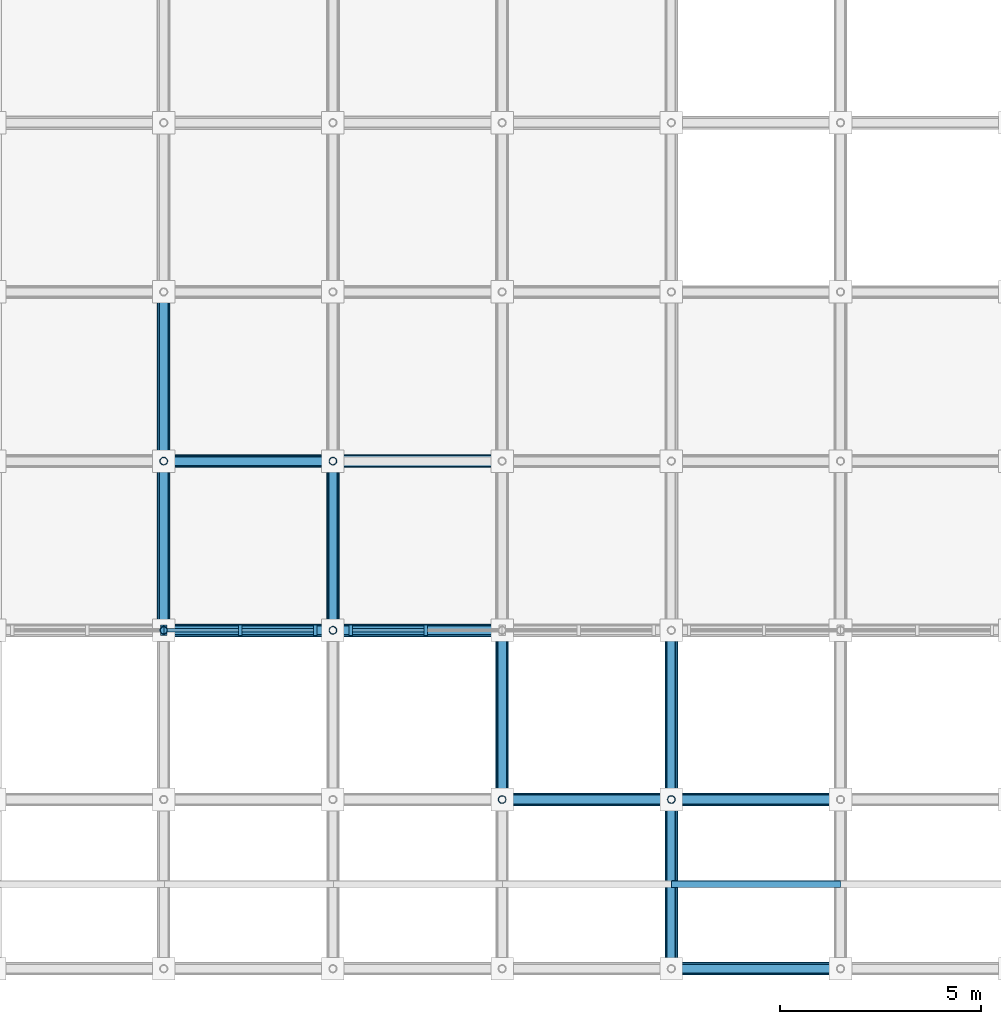
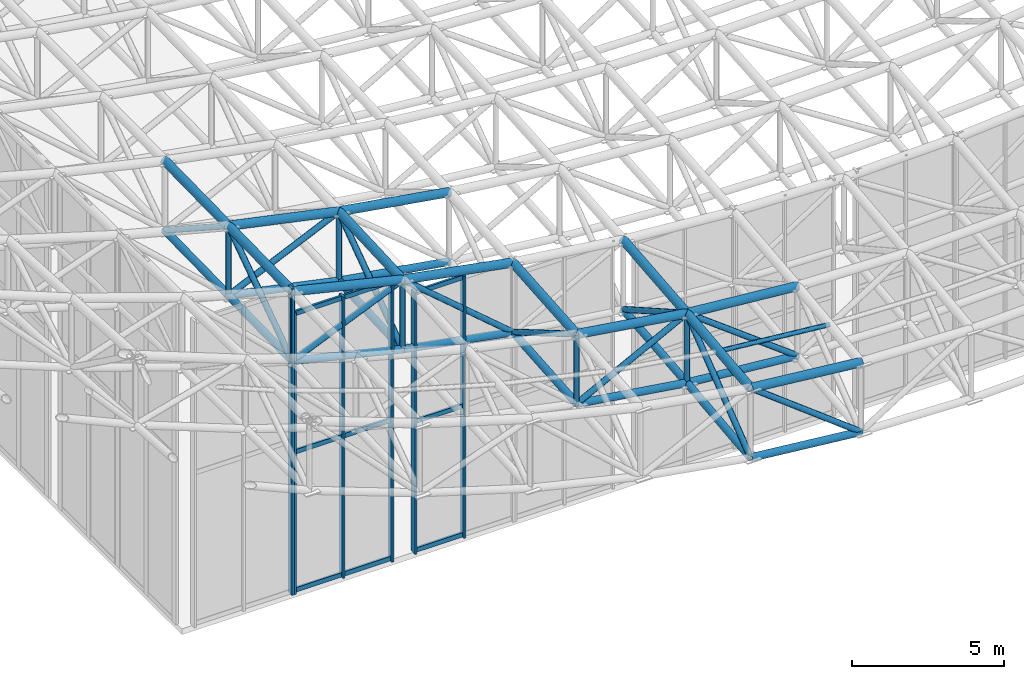
# One storey, part 6 of 93: 60 members, 3 elements without a shape of their own.
"""IFC4 building model written with IfcOpenShell, lengths in metres."""

from ifc_helpers import new_model, si_unit, direction, frame, origin, origin_2d, place, context, subcontext, project, spatial, rectangle, hollow_circle, extrude, material, material_profile, profile_set, type_object, element, aggregate, save


model = new_model("IFC4")

# Units and contexts
model_context = context("Model", 3, precision=1e-05, world=origin(), true_north=direction((0.0, 1.0)))
body_context = subcontext(model_context, "Body", "Model", "MODEL_VIEW")
ifc_project = project(units=[si_unit("LENGTHUNIT", "METRE"), si_unit("AREAUNIT", "SQUARE_METRE"), si_unit("VOLUMEUNIT", "CUBIC_METRE"), si_unit("PLANEANGLEUNIT", "RADIAN"), si_unit("MASSUNIT", "GRAM", prefix="KILO")], contexts=[model_context])

# Site, building, storey
site_placement = place(None, origin())
site = spatial("IfcSite", under=ifc_project, at=site_placement, CompositionType="ELEMENT")
building_placement = place(site_placement, origin())
building = spatial("IfcBuilding", under=site, at=building_placement, Name="Cumbredor Promenade Congress Hotel", CompositionType="ELEMENT")
storey_placement = place(building_placement, frame((0.0, 0.0, 21.840087890625)))
storey = spatial("IfcBuildingStorey", under=building, at=storey_placement, Name="L06", CompositionType="ELEMENT", Elevation=21.840087890625)

# Curtain wall, member
ifc_material_1 = material(Name="Thermally broken anodized aluminium and low-E glass", Category="aluminium")
curtain_wall_type = type_object("IfcCurtainWallType", Name="Stepped Pavilion Clerestory Curtain Wall CW-06", PredefinedType="NOTDEFINED", material=ifc_material_1)
curtain_wall_1_placement = place(storey_placement, origin())
curtain_wall_1 = element("IfcCurtainWall", 1, at=curtain_wall_1_placement, inside=storey, type_object=curtain_wall_type, Name="Plenary Congress Hall S Glazed Clerestory 1", PredefinedType="NOTDEFINED")
ifc_material_2 = material(Name="Thermally broken anodized aluminium", Category="aluminium")
ifc_material_profile_1 = material_profile(ifc_material_2, rectangle(XDim=0.0849609375, YDim=0.260009765625, at=origin_2d()), Name="ALU MULLION CLERESTORY 85x260")
ifc_profile_set_1 = profile_set([ifc_material_profile_1], Name="Thermally broken anodized aluminium")
member_type_1 = type_object("IfcMemberType", Name="Curtain Wall Mullion ML-04", PredefinedType="MULLION", material=ifc_profile_set_1)
member_1_placement = place(storey_placement, frame((12.56005859375, 8.39990234375, -0.01806640625), z_axis=(0.0, 0.0, 1.0), x_axis=(1.0, 0.0, 0.0)))
member_1 = element("IfcMember", 2, at=member_1_placement, type_object=member_type_1, Name="Plenary Congress Hall S Glazed Clerestory 1 Mullion 3", PredefinedType="MULLION", context=body_context, shape_type="SweptSolid", body=[
    extrude(rectangle(XDim=0.0849609375, YDim=0.260009765625, at=origin_2d()), origin(), (0.0, 0.0, 1.0), 12.32763671875),
])
aggregate(curtain_wall_1, [member_1])

# Curtain wall, members
curtain_wall_2_placement = place(storey_placement, origin())
curtain_wall_2 = element("IfcCurtainWall", 3, at=curtain_wall_2_placement, inside=storey, type_object=curtain_wall_type, Name="Plenary Congress Hall S Glazed Clerestory 2", PredefinedType="NOTDEFINED")
member_2_placement = place(storey_placement, frame((12.639892578125, 8.39990234375, -0.01806640625), z_axis=(0.0, 0.0, 1.0), x_axis=(1.0, 0.0, 0.0)))
member_2 = element("IfcMember", 4, at=member_2_placement, type_object=member_type_1, Name="Plenary Congress Hall S Glazed Clerestory 2 Mullion 1", PredefinedType="MULLION", context=body_context, shape_type="SweptSolid", body=[
    extrude(rectangle(XDim=0.0849609375, YDim=0.260009765625, at=origin_2d()), origin(), (0.0, 0.0, 1.0), 11.32421875),
])
member_3_placement = place(storey_placement, frame((14.5, 8.39990234375, -0.01806640625), z_axis=(0.0, 0.0, 1.0), x_axis=(1.0, 0.0, 0.0)))
member_3 = element("IfcMember", 5, at=member_3_placement, type_object=member_type_1, Name="Plenary Congress Hall S Glazed Clerestory 2 Mullion 2", PredefinedType="MULLION", context=body_context, shape_type="SweptSolid", body=[
    extrude(rectangle(XDim=0.0849609375, YDim=0.260009765625, at=origin_2d()), origin(), (0.0, 0.0, 1.0), 11.32421875),
])
member_4_placement = place(storey_placement, frame((16.360107421875, 8.39990234375, -0.01806640625), z_axis=(0.0, 0.0, 1.0), x_axis=(1.0, 0.0, 0.0)))
member_4 = element("IfcMember", 6, at=member_4_placement, type_object=member_type_1, Name="Plenary Congress Hall S Glazed Clerestory 2 Mullion 3", PredefinedType="MULLION", context=body_context, shape_type="SweptSolid", body=[
    extrude(rectangle(XDim=0.0849609375, YDim=0.260009765625, at=origin_2d()), origin(), (0.0, 0.0, 1.0), 11.32421875),
])

curtain_wall_3_placement = place(storey_placement, origin())
curtain_wall_3 = element("IfcCurtainWall", 7, at=curtain_wall_3_placement, inside=storey, type_object=curtain_wall_type, Name="Plenary Congress Hall S Glazed Clerestory 3", PredefinedType="NOTDEFINED")
member_5_placement = place(storey_placement, frame((17.239990234375, 8.39990234375, -0.01806640625), z_axis=(0.0, 0.0, 1.0), x_axis=(1.0, 0.0, 0.0)))
member_5 = element("IfcMember", 8, at=member_5_placement, type_object=member_type_1, Name="Plenary Congress Hall S Glazed Clerestory 3 Mullion 1", PredefinedType="MULLION", context=body_context, shape_type="SweptSolid", body=[
    extrude(rectangle(XDim=0.0849609375, YDim=0.260009765625, at=origin_2d()), origin(), (0.0, 0.0, 1.0), 10.543701171875),
])
member_6_placement = place(storey_placement, frame((19.10009765625, 8.39990234375, -0.01806640625), z_axis=(0.0, 0.0, 1.0), x_axis=(1.0, 0.0, 0.0)))
member_6 = element("IfcMember", 9, at=member_6_placement, type_object=member_type_1, Name="Plenary Congress Hall S Glazed Clerestory 3 Mullion 2", PredefinedType="MULLION", context=body_context, shape_type="SweptSolid", body=[
    extrude(rectangle(XDim=0.0849609375, YDim=0.260009765625, at=origin_2d()), origin(), (0.0, 0.0, 1.0), 10.543701171875),
])

# Member
ifc_material_profile_2 = material_profile(ifc_material_2, rectangle(XDim=0.080078125, YDim=0.179931640625, at=origin_2d()), Name="ALU TRANSOM 80x180")
ifc_profile_set_2 = profile_set([ifc_material_profile_2], Name="Thermally broken anodized aluminium")
member_type_2 = type_object("IfcMemberType", Name="Curtain Wall Transom TR-03", PredefinedType="USERDEFINED", material=ifc_profile_set_2)
member_7_placement = place(storey_placement, frame((12.6826171875, 8.39990234375, 0.079833984375), z_axis=(1.0, 0.0, 0.0), x_axis=(0.0, 1.0, 0.0)))
member_7 = element("IfcMember", 10, at=member_7_placement, type_object=member_type_2, Name="Plenary Congress Hall S Glazed Clerestory 2 Transom 1.1", ObjectType="TRANSOM", PredefinedType="USERDEFINED", context=body_context, shape_type="SweptSolid", body=[
    extrude(rectangle(XDim=0.080078125, YDim=0.179931640625, at=origin_2d()), origin(), (0.0, 0.0, 1.0), 1.77490234375),
])

member_8_placement = place(storey_placement, frame((12.6826171875, 8.39990234375, 5.639892578125), z_axis=(1.0, 0.0, 0.0), x_axis=(0.0, 1.0, 0.0)))
member_8 = element("IfcMember", 11, at=member_8_placement, type_object=member_type_2, Name="Plenary Congress Hall S Glazed Clerestory 2 Transom 1.2", ObjectType="TRANSOM", PredefinedType="USERDEFINED", context=body_context, shape_type="SweptSolid", body=[
    extrude(rectangle(XDim=0.080078125, YDim=0.179931640625, at=origin_2d()), origin(), (0.0, 0.0, 1.0), 1.77490234375),
])

member_9_placement = place(storey_placement, frame((12.6826171875, 8.39990234375, 11.2099609375), z_axis=(1.0, 0.0, 0.0), x_axis=(0.0, 1.0, 0.0)))
member_9 = element("IfcMember", 12, at=member_9_placement, type_object=member_type_2, Name="Plenary Congress Hall S Glazed Clerestory 2 Transom 1.3", ObjectType="TRANSOM", PredefinedType="USERDEFINED", context=body_context, shape_type="SweptSolid", body=[
    extrude(rectangle(XDim=0.080078125, YDim=0.179931640625, at=origin_2d()), origin(), (0.0, 0.0, 1.0), 1.77490234375),
])

member_10_placement = place(storey_placement, frame((14.54248046875, 8.39990234375, 0.079833984375), z_axis=(1.0, 0.0, 0.0), x_axis=(0.0, 1.0, 0.0)))
member_10 = element("IfcMember", 13, at=member_10_placement, type_object=member_type_2, Name="Plenary Congress Hall S Glazed Clerestory 2 Transom 2.1", ObjectType="TRANSOM", PredefinedType="USERDEFINED", context=body_context, shape_type="SweptSolid", body=[
    extrude(rectangle(XDim=0.080078125, YDim=0.179931640625, at=origin_2d()), origin(), (0.0, 0.0, 1.0), 1.77490234375),
])

member_11_placement = place(storey_placement, frame((14.54248046875, 8.39990234375, 5.639892578125), z_axis=(1.0, 0.0, 0.0), x_axis=(0.0, 1.0, 0.0)))
member_11 = element("IfcMember", 14, at=member_11_placement, type_object=member_type_2, Name="Plenary Congress Hall S Glazed Clerestory 2 Transom 2.2", ObjectType="TRANSOM", PredefinedType="USERDEFINED", context=body_context, shape_type="SweptSolid", body=[
    extrude(rectangle(XDim=0.080078125, YDim=0.179931640625, at=origin_2d()), origin(), (0.0, 0.0, 1.0), 1.77490234375),
])

member_12_placement = place(storey_placement, frame((14.54248046875, 8.39990234375, 11.2099609375), z_axis=(1.0, 0.0, 0.0), x_axis=(0.0, 1.0, 0.0)))
member_12 = element("IfcMember", 15, at=member_12_placement, type_object=member_type_2, Name="Plenary Congress Hall S Glazed Clerestory 2 Transom 2.3", ObjectType="TRANSOM", PredefinedType="USERDEFINED", context=body_context, shape_type="SweptSolid", body=[
    extrude(rectangle(XDim=0.080078125, YDim=0.179931640625, at=origin_2d()), origin(), (0.0, 0.0, 1.0), 1.77490234375),
])

aggregate(curtain_wall_2, [member_2, member_3, member_4, member_7, member_8, member_9, member_10, member_11, member_12])

member_13_placement = place(storey_placement, frame((17.282470703125, 8.39990234375, 0.079833984375), z_axis=(1.0, 0.0, 0.0), x_axis=(0.0, 1.0, 0.0)))
member_13 = element("IfcMember", 16, at=member_13_placement, type_object=member_type_2, Name="Plenary Congress Hall S Glazed Clerestory 3 Transom 1.1", ObjectType="TRANSOM", PredefinedType="USERDEFINED", context=body_context, shape_type="SweptSolid", body=[
    extrude(rectangle(XDim=0.080078125, YDim=0.179931640625, at=origin_2d()), origin(), (0.0, 0.0, 1.0), 1.775146484375),
])

member_14_placement = place(storey_placement, frame((17.282470703125, 8.39990234375, 5.260009765625), z_axis=(1.0, 0.0, 0.0), x_axis=(0.0, 1.0, 0.0)))
member_14 = element("IfcMember", 17, at=member_14_placement, type_object=member_type_2, Name="Plenary Congress Hall S Glazed Clerestory 3 Transom 1.2", ObjectType="TRANSOM", PredefinedType="USERDEFINED", context=body_context, shape_type="SweptSolid", body=[
    extrude(rectangle(XDim=0.080078125, YDim=0.179931640625, at=origin_2d()), origin(), (0.0, 0.0, 1.0), 1.775146484375),
])

member_15_placement = place(storey_placement, frame((17.282470703125, 8.39990234375, 10.429931640625), z_axis=(1.0, 0.0, 0.0), x_axis=(0.0, 1.0, 0.0)))
member_15 = element("IfcMember", 18, at=member_15_placement, type_object=member_type_2, Name="Plenary Congress Hall S Glazed Clerestory 3 Transom 1.3", ObjectType="TRANSOM", PredefinedType="USERDEFINED", context=body_context, shape_type="SweptSolid", body=[
    extrude(rectangle(XDim=0.080078125, YDim=0.179931640625, at=origin_2d()), origin(), (0.0, 0.0, 1.0), 1.775146484375),
])

aggregate(curtain_wall_3, [member_5, member_6, member_13, member_14, member_15])

# Members
ifc_material_3 = material(Name="Steel ASTM A500 Grade C", Category="steel")
ifc_material_profile_3 = material_profile(ifc_material_3, hollow_circle(Radius=0.136474609375, WallThickness=0.01611328125, at=origin_2d()), Name="CHS 273.0x16")
ifc_profile_set_3 = profile_set([ifc_material_profile_3], Name="Steel ASTM A500 Grade C")
member_type_3 = type_object("IfcMemberType", Name="Plenary Roof Space Frame Bottom Chord", PredefinedType="CHORD", material=ifc_profile_set_3)
member_16_placement = place(storey_placement, frame((25.199951171875, 0.0, 6.107666015625), z_axis=(0.994854027888, 0.0, -0.101318622151), x_axis=(0.0, 1.0, 0.0)))
element("IfcMember", 19, at=member_16_placement, inside=storey, type_object=member_type_3, Name="Plenary Congress Hall X Bottom Chord 8.1", PredefinedType="CHORD", context=body_context, shape_type="SweptSolid", body=[
    extrude(hollow_circle(Radius=0.136474609375, WallThickness=0.01611328125, at=origin_2d()), origin(), (0.0, 0.0, 1.0), 4.2216796875),
])
member_17_placement = place(storey_placement, frame((21.0, 4.199951171875, 7.202392578125), z_axis=(0.988940147497, 0.0, -0.148315153202), x_axis=(0.0, 1.0, 0.0)))
element("IfcMember", 20, at=member_17_placement, inside=storey, type_object=member_type_3, Name="Plenary Congress Hall X Bottom Chord 7.2", PredefinedType="CHORD", context=body_context, shape_type="SweptSolid", body=[
    extrude(hollow_circle(Radius=0.136474609375, WallThickness=0.01611328125, at=origin_2d()), origin(), (0.0, 0.0, 1.0), 4.246826171875),
])
member_18_placement = place(storey_placement, frame((25.199951171875, 4.199951171875, 6.572509765625), z_axis=(0.995981000489, 0.0, -0.089564762411), x_axis=(0.0, 1.0, 0.0)))
element("IfcMember", 21, at=member_18_placement, inside=storey, type_object=member_type_3, Name="Plenary Congress Hall X Bottom Chord 8.2", PredefinedType="CHORD", context=body_context, shape_type="SweptSolid", body=[
    extrude(hollow_circle(Radius=0.136474609375, WallThickness=0.01611328125, at=origin_2d()), origin(), (0.0, 0.0, 1.0), 4.216796875),
])
member_19_placement = place(storey_placement, frame((12.60009765625, 8.39990234375, 9.321533203125), z_axis=(0.972626967518, 0.0, -0.23237207676), x_axis=(0.0, 1.0, 0.0)))
element("IfcMember", 22, at=member_19_placement, inside=storey, type_object=member_type_3, Name="Plenary Congress Hall X Bottom Chord 5.3", PredefinedType="CHORD", context=body_context, shape_type="SweptSolid", body=[
    extrude(hollow_circle(Radius=0.136474609375, WallThickness=0.01611328125, at=origin_2d()), origin(), (0.0, 0.0, 1.0), 4.318115234375),
])
member_20_placement = place(storey_placement, frame((16.800048828125, 8.39990234375, 8.318115234375), z_axis=(0.98316659684, 0.0, -0.182711364884), x_axis=(0.0, 1.0, 0.0)))
element("IfcMember", 23, at=member_20_placement, inside=storey, type_object=member_type_3, Name="Plenary Congress Hall X Bottom Chord 6.3", PredefinedType="CHORD", context=body_context, shape_type="SweptSolid", body=[
    extrude(hollow_circle(Radius=0.136474609375, WallThickness=0.01611328125, at=origin_2d()), origin(), (0.0, 0.0, 1.0), 4.27197265625),
])
member_21_placement = place(storey_placement, frame((12.60009765625, 12.60009765625, 9.410400390625), z_axis=(0.978189332604, 0.0, -0.207715260827), x_axis=(0.0, 1.0, 0.0)))
element("IfcMember", 24, at=member_21_placement, inside=storey, type_object=member_type_3, Name="Plenary Congress Hall X Bottom Chord 5.4", PredefinedType="CHORD", context=body_context, shape_type="SweptSolid", body=[
    extrude(hollow_circle(Radius=0.136474609375, WallThickness=0.01611328125, at=origin_2d()), origin(), (0.0, 0.0, 1.0), 4.293701171875),
])
member_22_placement = place(storey_placement, frame((16.800048828125, 12.60009765625, 8.5185546875), z_axis=(0.986645422548, 0.0, -0.16288281114), x_axis=(0.0, 1.0, 0.0)))
element("IfcMember", 25, at=member_22_placement, inside=storey, type_object=member_type_3, Name="Plenary Congress Hall X Bottom Chord 6.4", PredefinedType="CHORD", context=body_context, shape_type="SweptSolid", body=[
    extrude(hollow_circle(Radius=0.136474609375, WallThickness=0.01611328125, at=origin_2d()), origin(), (0.0, 0.0, 1.0), 4.2568359375),
])
member_23_placement = place(storey_placement, frame((12.60009765625, 8.39990234375, 9.321533203125), z_axis=(0.0, 0.999776247383, 0.021153136134), x_axis=(-1.0, 0.0, 0.0)))
element("IfcMember", 26, at=member_23_placement, inside=storey, type_object=member_type_3, Name="Plenary Congress Hall Y Bottom Chord 5.3", PredefinedType="CHORD", context=body_context, shape_type="SweptSolid", body=[
    extrude(hollow_circle(Radius=0.136474609375, WallThickness=0.01611328125, at=origin_2d()), origin(), (0.0, 0.0, 1.0), 4.201171875),
])
member_24_placement = place(storey_placement, frame((12.60009765625, 12.60009765625, 9.410400390625), z_axis=(0.0, 0.999845945232, 0.017552373159), x_axis=(-1.0, 0.0, 0.0)))
element("IfcMember", 27, at=member_24_placement, inside=storey, type_object=member_type_3, Name="Plenary Congress Hall Y Bottom Chord 5.4", PredefinedType="CHORD", context=body_context, shape_type="SweptSolid", body=[
    extrude(hollow_circle(Radius=0.136474609375, WallThickness=0.01611328125, at=origin_2d()), origin(), (0.0, 0.0, 1.0), 4.20068359375),
])
member_25_placement = place(storey_placement, frame((16.800048828125, 8.39990234375, 8.318115234375), z_axis=(0.0, 0.998863272288, 0.047667213819), x_axis=(-1.0, 0.0, 0.0)))
element("IfcMember", 28, at=member_25_placement, inside=storey, type_object=member_type_3, Name="Plenary Congress Hall Y Bottom Chord 6.3", PredefinedType="CHORD", context=body_context, shape_type="SweptSolid", body=[
    extrude(hollow_circle(Radius=0.136474609375, WallThickness=0.01611328125, at=origin_2d()), origin(), (0.0, 0.0, 1.0), 4.205078125),
])
member_26_placement = place(storey_placement, frame((21.0, 4.199951171875, 7.202392578125), z_axis=(0.0, 0.996830184947, 0.079558672553), x_axis=(-1.0, 0.0, 0.0)))
element("IfcMember", 29, at=member_26_placement, inside=storey, type_object=member_type_3, Name="Plenary Congress Hall Y Bottom Chord 7.2", PredefinedType="CHORD", context=body_context, shape_type="SweptSolid", body=[
    extrude(hollow_circle(Radius=0.136474609375, WallThickness=0.01611328125, at=origin_2d()), origin(), (0.0, 0.0, 1.0), 4.21337890625),
])
member_27_placement = place(storey_placement, frame((25.199951171875, 0.0, 6.107666015625), z_axis=(0.0, 0.993930851571, 0.110006646596), x_axis=(-1.0, 0.0, 0.0)))
element("IfcMember", 30, at=member_27_placement, inside=storey, type_object=member_type_3, Name="Plenary Congress Hall Y Bottom Chord 8.1", PredefinedType="CHORD", context=body_context, shape_type="SweptSolid", body=[
    extrude(hollow_circle(Radius=0.136474609375, WallThickness=0.01611328125, at=origin_2d()), origin(), (0.0, 0.0, 1.0), 4.2255859375),
])
member_28_placement = place(storey_placement, frame((25.199951171875, 4.199951171875, 6.572509765625), z_axis=(0.0, 0.995321159621, 0.096621887843), x_axis=(-1.0, 0.0, 0.0)))
element("IfcMember", 31, at=member_28_placement, inside=storey, type_object=member_type_3, Name="Plenary Congress Hall Y Bottom Chord 8.2", PredefinedType="CHORD", context=body_context, shape_type="SweptSolid", body=[
    extrude(hollow_circle(Radius=0.136474609375, WallThickness=0.01611328125, at=origin_2d()), origin(), (0.0, 0.0, 1.0), 4.2197265625),
])
ifc_material_profile_4 = material_profile(ifc_material_3, hollow_circle(Radius=0.161865234375, WallThickness=0.01611328125, at=origin_2d()), Name="CHS 323.9x16")
ifc_profile_set_4 = profile_set([ifc_material_profile_4], Name="Steel ASTM A500 Grade C")
member_type_4 = type_object("IfcMemberType", Name="Plenary Roof Space Frame Top Chord", PredefinedType="CHORD", material=ifc_profile_set_4)
member_29_placement = place(storey_placement, frame((25.199951171875, 0.0, 8.90771484375), z_axis=(0.994854027888, 0.0, -0.101318622151), x_axis=(0.0, 1.0, 0.0)))
element("IfcMember", 32, at=member_29_placement, inside=storey, type_object=member_type_4, Name="Plenary Congress Hall X Top Chord 8.1", PredefinedType="CHORD", context=body_context, shape_type="SweptSolid", body=[
    extrude(hollow_circle(Radius=0.161865234375, WallThickness=0.01611328125, at=origin_2d()), origin(), (0.0, 0.0, 1.0), 4.2216796875),
])
member_30_placement = place(storey_placement, frame((21.0, 4.199951171875, 10.002197265625), z_axis=(0.988948577791, 0.0, -0.148258930542), x_axis=(0.0, 1.0, 0.0)))
element("IfcMember", 33, at=member_30_placement, inside=storey, type_object=member_type_4, Name="Plenary Congress Hall X Top Chord 7.2", PredefinedType="CHORD", context=body_context, shape_type="SweptSolid", body=[
    extrude(hollow_circle(Radius=0.161865234375, WallThickness=0.01611328125, at=origin_2d()), origin(), (0.0, 0.0, 1.0), 4.246826171875),
])
member_31_placement = place(storey_placement, frame((25.199951171875, 4.199951171875, 9.37255859375), z_axis=(0.995975834279, 0.0, -0.089622193307), x_axis=(0.0, 1.0, 0.0)))
element("IfcMember", 34, at=member_31_placement, inside=storey, type_object=member_type_4, Name="Plenary Congress Hall X Top Chord 8.2", PredefinedType="CHORD", context=body_context, shape_type="SweptSolid", body=[
    extrude(hollow_circle(Radius=0.161865234375, WallThickness=0.01611328125, at=origin_2d()), origin(), (0.0, 0.0, 1.0), 4.217041015625),
])
member_32_placement = place(storey_placement, frame((12.60009765625, 8.39990234375, 12.12158203125), z_axis=(0.972626967518, 0.0, -0.23237207676), x_axis=(0.0, 1.0, 0.0)))
element("IfcMember", 35, at=member_32_placement, inside=storey, type_object=member_type_4, Name="Plenary Congress Hall X Top Chord 5.3", PredefinedType="CHORD", context=body_context, shape_type="SweptSolid", body=[
    extrude(hollow_circle(Radius=0.161865234375, WallThickness=0.01611328125, at=origin_2d()), origin(), (0.0, 0.0, 1.0), 4.318115234375),
])
member_33_placement = place(storey_placement, frame((16.800048828125, 8.39990234375, 11.1181640625), z_axis=(0.98316659684, 0.0, -0.182711364884), x_axis=(0.0, 1.0, 0.0)))
element("IfcMember", 36, at=member_33_placement, inside=storey, type_object=member_type_4, Name="Plenary Congress Hall X Top Chord 6.3", PredefinedType="CHORD", context=body_context, shape_type="SweptSolid", body=[
    extrude(hollow_circle(Radius=0.161865234375, WallThickness=0.01611328125, at=origin_2d()), origin(), (0.0, 0.0, 1.0), 4.27197265625),
])
member_34_placement = place(storey_placement, frame((12.60009765625, 12.60009765625, 12.210205078125), z_axis=(0.978200884634, 0.0, -0.207660851635), x_axis=(0.0, 1.0, 0.0)))
element("IfcMember", 37, at=member_34_placement, inside=storey, type_object=member_type_4, Name="Plenary Congress Hall X Top Chord 5.4", PredefinedType="CHORD", context=body_context, shape_type="SweptSolid", body=[
    extrude(hollow_circle(Radius=0.161865234375, WallThickness=0.01611328125, at=origin_2d()), origin(), (0.0, 0.0, 1.0), 4.29345703125),
])
member_35_placement = place(storey_placement, frame((16.800048828125, 12.60009765625, 11.318603515625), z_axis=(0.986636203976, 0.0, -0.162938641836), x_axis=(0.0, 1.0, 0.0)))
element("IfcMember", 38, at=member_35_placement, inside=storey, type_object=member_type_4, Name="Plenary Congress Hall X Top Chord 6.4", PredefinedType="CHORD", context=body_context, shape_type="SweptSolid", body=[
    extrude(hollow_circle(Radius=0.161865234375, WallThickness=0.01611328125, at=origin_2d()), origin(), (0.0, 0.0, 1.0), 4.2568359375),
])
member_36_placement = place(storey_placement, frame((12.60009765625, 8.39990234375, 12.12158203125), z_axis=(0.0, 0.999777474695, 0.021095049018), x_axis=(-1.0, 0.0, 0.0)))
element("IfcMember", 39, at=member_36_placement, inside=storey, type_object=member_type_4, Name="Plenary Congress Hall Y Top Chord 5.3", PredefinedType="CHORD", context=body_context, shape_type="SweptSolid", body=[
    extrude(hollow_circle(Radius=0.161865234375, WallThickness=0.01611328125, at=origin_2d()), origin(), (0.0, 0.0, 1.0), 4.201171875),
])
member_37_placement = place(storey_placement, frame((12.60009765625, 12.60009765625, 12.210205078125), z_axis=(0.0, 0.99984492355, 0.017610475605), x_axis=(-1.0, 0.0, 0.0)))
element("IfcMember", 40, at=member_37_placement, inside=storey, type_object=member_type_4, Name="Plenary Congress Hall Y Top Chord 5.4", PredefinedType="CHORD", context=body_context, shape_type="SweptSolid", body=[
    extrude(hollow_circle(Radius=0.161865234375, WallThickness=0.01611328125, at=origin_2d()), origin(), (0.0, 0.0, 1.0), 4.20068359375),
])
member_38_placement = place(storey_placement, frame((16.800048828125, 8.39990234375, 11.1181640625), z_axis=(0.0, 0.998863272288, 0.047667213819), x_axis=(-1.0, 0.0, 0.0)))
element("IfcMember", 41, at=member_38_placement, inside=storey, type_object=member_type_4, Name="Plenary Congress Hall Y Top Chord 6.3", PredefinedType="CHORD", context=body_context, shape_type="SweptSolid", body=[
    extrude(hollow_circle(Radius=0.161865234375, WallThickness=0.01611328125, at=origin_2d()), origin(), (0.0, 0.0, 1.0), 4.205078125),
])
member_39_placement = place(storey_placement, frame((21.0, 4.199951171875, 10.002197265625), z_axis=(0.0, 0.99682558788, 0.079616250523), x_axis=(-1.0, 0.0, 0.0)))
element("IfcMember", 42, at=member_39_placement, inside=storey, type_object=member_type_4, Name="Plenary Congress Hall Y Top Chord 7.2", PredefinedType="CHORD", context=body_context, shape_type="SweptSolid", body=[
    extrude(hollow_circle(Radius=0.161865234375, WallThickness=0.01611328125, at=origin_2d()), origin(), (0.0, 0.0, 1.0), 4.21337890625),
])
member_40_placement = place(storey_placement, frame((25.199951171875, 0.0, 8.90771484375), z_axis=(0.0, 0.993930851571, 0.110006646596), x_axis=(-1.0, 0.0, 0.0)))
element("IfcMember", 43, at=member_40_placement, inside=storey, type_object=member_type_4, Name="Plenary Congress Hall Y Top Chord 8.1", PredefinedType="CHORD", context=body_context, shape_type="SweptSolid", body=[
    extrude(hollow_circle(Radius=0.161865234375, WallThickness=0.01611328125, at=origin_2d()), origin(), (0.0, 0.0, 1.0), 4.2255859375),
])
member_41_placement = place(storey_placement, frame((25.199951171875, 4.199951171875, 9.37255859375), z_axis=(0.0, 0.995321159621, 0.096621887843), x_axis=(-1.0, 0.0, 0.0)))
element("IfcMember", 44, at=member_41_placement, inside=storey, type_object=member_type_4, Name="Plenary Congress Hall Y Top Chord 8.2", PredefinedType="CHORD", context=body_context, shape_type="SweptSolid", body=[
    extrude(hollow_circle(Radius=0.161865234375, WallThickness=0.01611328125, at=origin_2d()), origin(), (0.0, 0.0, 1.0), 4.2197265625),
])
ifc_material_profile_5 = material_profile(ifc_material_3, hollow_circle(Radius=0.084228515625, WallThickness=0.010009765625, at=origin_2d()), Name="CHS 168.3x10")
ifc_profile_set_5 = profile_set([ifc_material_profile_5], Name="Steel ASTM A500 Grade C")
member_type_5 = type_object("IfcMemberType", Name="Roof Purlin CHS168", PredefinedType="PURLIN", material=ifc_profile_set_5)
member_42_placement = place(storey_placement, frame((25.199951171875, 2.10009765625, 9.1201171875), z_axis=(0.995431794438, 0.0, -0.095475350859), x_axis=(0.0, 1.0, 0.0)))
element("IfcMember", 45, at=member_42_placement, inside=storey, type_object=member_type_5, Name="Plenary Congress Hall Roof Eave Purlin 8.1", PredefinedType="PURLIN", context=body_context, shape_type="SweptSolid", body=[
    extrude(hollow_circle(Radius=0.084228515625, WallThickness=0.010009765625, at=origin_2d()), origin(), (0.0, 0.0, 1.0), 4.21923828125),
])
ifc_material_profile_6 = material_profile(ifc_material_3, hollow_circle(Radius=0.109619140625, WallThickness=0.012451171875, at=origin_2d()), Name="CHS 219.1x12.5")
ifc_profile_set_6 = profile_set([ifc_material_profile_6], Name="Steel ASTM A500 Grade C")
member_type_6 = type_object("IfcMemberType", Name="Space Frame Web Diagonal D1", PredefinedType="BRACE", material=ifc_profile_set_6)
member_43_placement = place(storey_placement, frame((25.199951171875, 0.0, 8.90771484375), z_axis=(0.79289291533, 0.0, -0.609360997127), x_axis=(0.0, 1.0, 0.0)))
element("IfcMember", 46, at=member_43_placement, inside=storey, type_object=member_type_6, Name="Plenary Congress Hall X Web Diagonal 8.1", PredefinedType="BRACE", context=body_context, shape_type="SweptSolid", body=[
    extrude(hollow_circle(Radius=0.109619140625, WallThickness=0.012451171875, at=origin_2d()), origin(), (0.0, 0.0, 1.0), 5.296875),
])
member_44_placement = place(storey_placement, frame((21.0, 4.199951171875, 7.202392578125), z_axis=(0.888409409152, 0.0, 0.459051981512), x_axis=(0.0, 1.0, 0.0)))
element("IfcMember", 47, at=member_44_placement, inside=storey, type_object=member_type_6, Name="Plenary Congress Hall X Web Diagonal 7.2", PredefinedType="BRACE", context=body_context, shape_type="SweptSolid", body=[
    extrude(hollow_circle(Radius=0.109619140625, WallThickness=0.012451171875, at=origin_2d()), origin(), (0.0, 0.0, 1.0), 4.7275390625),
])
member_45_placement = place(storey_placement, frame((25.199951171875, 4.199951171875, 9.37255859375), z_axis=(0.79746184577, 0.0, -0.603369376536), x_axis=(0.0, 1.0, 0.0)))
element("IfcMember", 48, at=member_45_placement, inside=storey, type_object=member_type_6, Name="Plenary Congress Hall X Web Diagonal 8.2", PredefinedType="BRACE", context=body_context, shape_type="SweptSolid", body=[
    extrude(hollow_circle(Radius=0.109619140625, WallThickness=0.012451171875, at=origin_2d()), origin(), (0.0, 0.0, 1.0), 5.2666015625),
])
member_46_placement = place(storey_placement, frame((12.60009765625, 8.39990234375, 9.321533203125), z_axis=(0.919410202311, 0.0, 0.393299987142), x_axis=(0.0, 1.0, 0.0)))
element("IfcMember", 49, at=member_46_placement, inside=storey, type_object=member_type_6, Name="Plenary Congress Hall X Web Diagonal 5.3", PredefinedType="BRACE", context=body_context, shape_type="SweptSolid", body=[
    extrude(hollow_circle(Radius=0.109619140625, WallThickness=0.012451171875, at=origin_2d()), origin(), (0.0, 0.0, 1.0), 4.568115234375),
])
member_47_placement = place(storey_placement, frame((16.800048828125, 8.39990234375, 11.1181640625), z_axis=(0.760990029258, 0.0, -0.648763574324), x_axis=(0.0, 1.0, 0.0)))
element("IfcMember", 50, at=member_47_placement, inside=storey, type_object=member_type_6, Name="Plenary Congress Hall X Web Diagonal 6.3", PredefinedType="BRACE", context=body_context, shape_type="SweptSolid", body=[
    extrude(hollow_circle(Radius=0.109619140625, WallThickness=0.012451171875, at=origin_2d()), origin(), (0.0, 0.0, 1.0), 5.51904296875),
])
member_48_placement = place(storey_placement, frame((12.60009765625, 12.60009765625, 9.410400390625), z_axis=(0.910437149226, 0.0, 0.413647431166), x_axis=(0.0, 1.0, 0.0)))
element("IfcMember", 51, at=member_48_placement, inside=storey, type_object=member_type_6, Name="Plenary Congress Hall X Web Diagonal 5.4", PredefinedType="BRACE", context=body_context, shape_type="SweptSolid", body=[
    extrude(hollow_circle(Radius=0.109619140625, WallThickness=0.012451171875, at=origin_2d()), origin(), (0.0, 0.0, 1.0), 4.613037109375),
])
member_49_placement = place(storey_placement, frame((12.60009765625, 8.39990234375, 9.321533203125), z_axis=(0.0, 0.823946889325, 0.566667030603), x_axis=(-1.0, 0.0, 0.0)))
element("IfcMember", 52, at=member_49_placement, inside=storey, type_object=member_type_6, Name="Plenary Congress Hall Y Web Diagonal 5.3", PredefinedType="BRACE", context=body_context, shape_type="SweptSolid", body=[
    extrude(hollow_circle(Radius=0.109619140625, WallThickness=0.012451171875, at=origin_2d()), origin(), (0.0, 0.0, 1.0), 5.09765625),
])
member_50_placement = place(storey_placement, frame((12.60009765625, 12.60009765625, 12.210205078125), z_axis=(0.0, 0.838798803652, -0.544441518432), x_axis=(-1.0, 0.0, 0.0)))
element("IfcMember", 53, at=member_50_placement, inside=storey, type_object=member_type_6, Name="Plenary Congress Hall Y Web Diagonal 5.4", PredefinedType="BRACE", context=body_context, shape_type="SweptSolid", body=[
    extrude(hollow_circle(Radius=0.109619140625, WallThickness=0.012451171875, at=origin_2d()), origin(), (0.0, 0.0, 1.0), 5.007080078125),
])
member_51_placement = place(storey_placement, frame((16.800048828125, 8.39990234375, 8.318115234375), z_axis=(0.0, 0.81370151239, 0.581282933462), x_axis=(-1.0, 0.0, 0.0)))
element("IfcMember", 54, at=member_51_placement, inside=storey, type_object=member_type_6, Name="Plenary Congress Hall Y Web Diagonal 6.3", PredefinedType="BRACE", context=body_context, shape_type="SweptSolid", body=[
    extrude(hollow_circle(Radius=0.109619140625, WallThickness=0.012451171875, at=origin_2d()), origin(), (0.0, 0.0, 1.0), 5.161865234375),
])
member_52_placement = place(storey_placement, frame((21.0, 4.199951171875, 10.002197265625), z_axis=(0.0, 0.862468592459, -0.506110587739), x_axis=(-1.0, 0.0, 0.0)))
element("IfcMember", 55, at=member_52_placement, inside=storey, type_object=member_type_6, Name="Plenary Congress Hall Y Web Diagonal 7.2", PredefinedType="BRACE", context=body_context, shape_type="SweptSolid", body=[
    extrude(hollow_circle(Radius=0.109619140625, WallThickness=0.012451171875, at=origin_2d()), origin(), (0.0, 0.0, 1.0), 4.86962890625),
])
member_53_placement = place(storey_placement, frame((25.199951171875, 0.0, 6.107666015625), z_axis=(0.0, 0.789510348141, 0.613737248485), x_axis=(-1.0, 0.0, 0.0)))
element("IfcMember", 56, at=member_53_placement, inside=storey, type_object=member_type_6, Name="Plenary Congress Hall Y Web Diagonal 8.1", PredefinedType="BRACE", context=body_context, shape_type="SweptSolid", body=[
    extrude(hollow_circle(Radius=0.109619140625, WallThickness=0.012451171875, at=origin_2d()), origin(), (0.0, 0.0, 1.0), 5.319580078125),
])
member_54_placement = place(storey_placement, frame((25.199951171875, 4.199951171875, 9.37255859375), z_axis=(0.0, 0.868923043905, -0.494947213115), x_axis=(-1.0, 0.0, 0.0)))
element("IfcMember", 57, at=member_54_placement, inside=storey, type_object=member_type_6, Name="Plenary Congress Hall Y Web Diagonal 8.2", PredefinedType="BRACE", context=body_context, shape_type="SweptSolid", body=[
    extrude(hollow_circle(Radius=0.109619140625, WallThickness=0.012451171875, at=origin_2d()), origin(), (0.0, 0.0, 1.0), 4.83349609375),
])
ifc_material_profile_7 = material_profile(ifc_material_3, hollow_circle(Radius=0.096923828125, WallThickness=0.010009765625, at=origin_2d()), Name="CHS 193.7x10")
ifc_profile_set_7 = profile_set([ifc_material_profile_7], Name="Steel ASTM A500 Grade C")
member_type_7 = type_object("IfcMemberType", Name="Space Frame Web Post P1", PredefinedType="BRACE", material=ifc_profile_set_7)
member_55_placement = place(storey_placement, frame((12.60009765625, 8.39990234375, 9.321533203125), z_axis=(0.0, 0.0, 1.0), x_axis=(1.0, 0.0, 0.0)))
element("IfcMember", 58, at=member_55_placement, inside=storey, type_object=member_type_7, Name="Plenary Congress Hall Space Frame Web Post 5.3", PredefinedType="BRACE", context=body_context, shape_type="SweptSolid", body=[
    extrude(hollow_circle(Radius=0.096923828125, WallThickness=0.010009765625, at=origin_2d()), origin(), (0.0, 0.0, 1.0), 2.800048828125),
])
member_56_placement = place(storey_placement, frame((12.60009765625, 12.60009765625, 9.410400390625), z_axis=(0.0, 0.0, 1.0), x_axis=(1.0, 0.0, 0.0)))
element("IfcMember", 59, at=member_56_placement, inside=storey, type_object=member_type_7, Name="Plenary Congress Hall Space Frame Web Post 5.4", PredefinedType="BRACE", context=body_context, shape_type="SweptSolid", body=[
    extrude(hollow_circle(Radius=0.096923828125, WallThickness=0.010009765625, at=origin_2d()), origin(), (0.0, 0.0, 1.0), 2.7998046875),
])
for number, where, z_axis, x_axis, name in (
    (60, (16.800048828125, 8.39990234375, 8.318115234375), (0.0, 0.0, 1.0), (1.0, 0.0, 0.0), "Plenary Congress Hall Space Frame Web Post 6.3"),
    (61, (16.800048828125, 12.60009765625, 8.5185546875), (0.0, 0.0, 1.0), (1.0, 0.0, 0.0), "Plenary Congress Hall Space Frame Web Post 6.4"),
):
    element("IfcMember", number, at=place(storey_placement, frame(where, z_axis=z_axis, x_axis=x_axis)), inside=storey, type_object=member_type_7, Name=name, PredefinedType="BRACE", context=body_context, shape_type="SweptSolid", body=[
        extrude(hollow_circle(Radius=0.096923828125, WallThickness=0.010009765625, at=origin_2d()), origin(), (0.0, 0.0, 1.0), 2.800048828125),
    ])
member_57_placement = place(storey_placement, frame((21.0, 4.199951171875, 7.202392578125), z_axis=(0.0, 0.0, 1.0), x_axis=(1.0, 0.0, 0.0)))
element("IfcMember", 62, at=member_57_placement, inside=storey, type_object=member_type_7, Name="Plenary Congress Hall Space Frame Web Post 7.2", PredefinedType="BRACE", context=body_context, shape_type="SweptSolid", body=[
    extrude(hollow_circle(Radius=0.096923828125, WallThickness=0.010009765625, at=origin_2d()), origin(), (0.0, 0.0, 1.0), 2.7998046875),
])
member_58_placement = place(storey_placement, frame((25.199951171875, 4.199951171875, 6.572509765625), z_axis=(0.0, 0.0, 1.0), x_axis=(1.0, 0.0, 0.0)))
element("IfcMember", 63, at=member_58_placement, inside=storey, type_object=member_type_7, Name="Plenary Congress Hall Space Frame Web Post 8.2", PredefinedType="BRACE", context=body_context, shape_type="SweptSolid", body=[
    extrude(hollow_circle(Radius=0.096923828125, WallThickness=0.010009765625, at=origin_2d()), origin(), (0.0, 0.0, 1.0), 2.800048828125),
])

save(model, "model.ifc")
